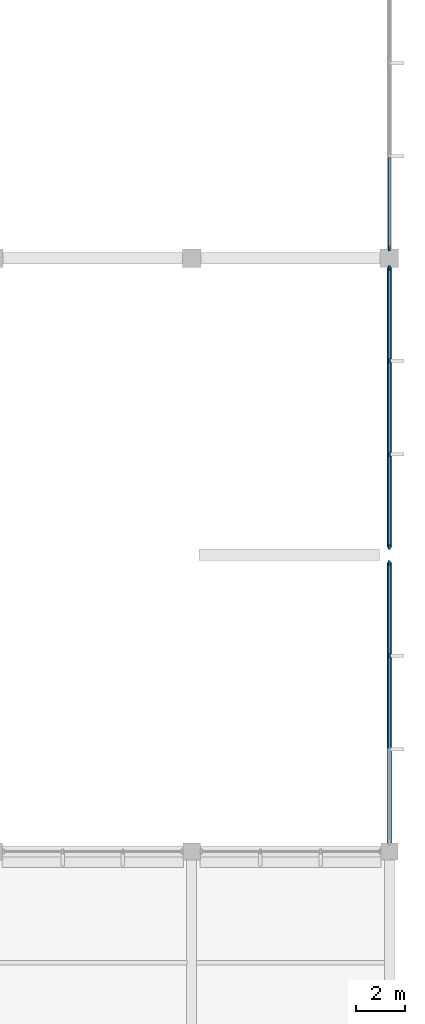
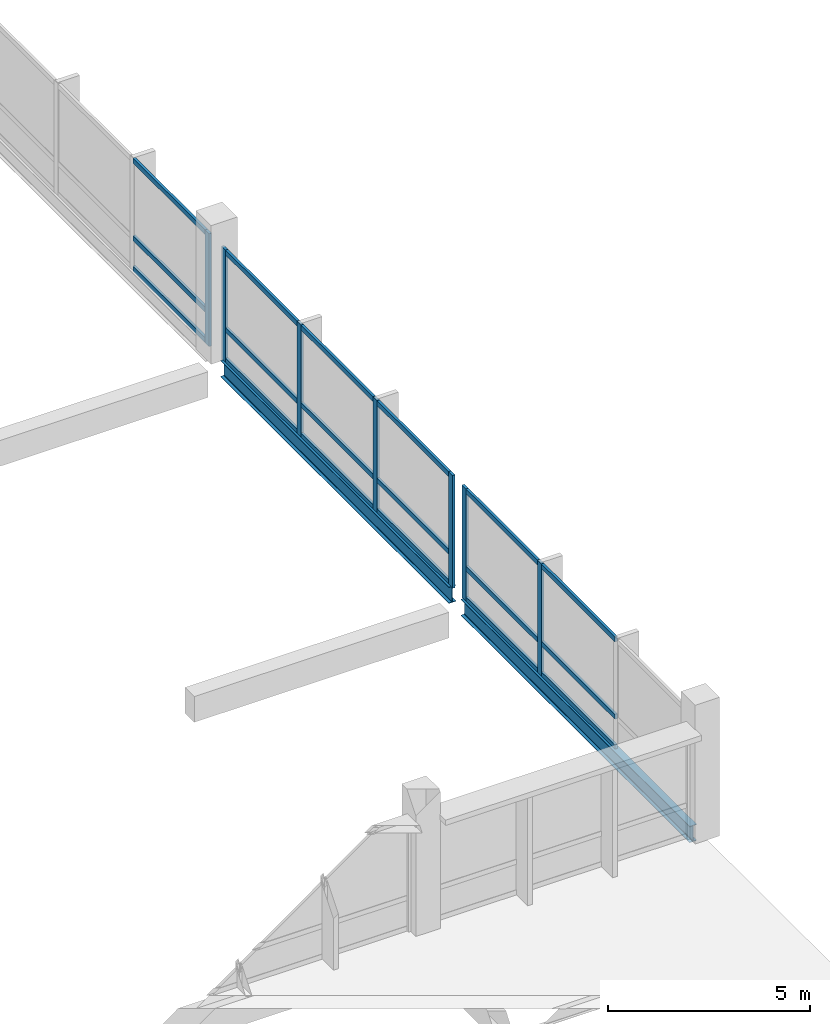
# One storey, part 36 of 70: 25 members, 2 beams, 3 elements without a shape of their own.
"""IFC4 building model written with IfcOpenShell, lengths in metres."""

from ifc_helpers import new_model, si_unit, direction, frame, origin, origin_2d, place, context, subcontext, project, spatial, rectangle, i_section, extrude, material, material_profile, profile_set, type_object, element, aggregate, save


model = new_model("IFC4")

# Units and contexts
model_context = context("Model", 3, precision=1e-05, world=origin(), true_north=direction((0.0, 1.0)))
body_context = subcontext(model_context, "Body", "Model", "MODEL_VIEW")
ifc_project = project(units=[si_unit("LENGTHUNIT", "METRE"), si_unit("AREAUNIT", "SQUARE_METRE"), si_unit("VOLUMEUNIT", "CUBIC_METRE"), si_unit("PLANEANGLEUNIT", "RADIAN"), si_unit("MASSUNIT", "GRAM", prefix="KILO"), si_unit("THERMODYNAMICTEMPERATUREUNIT", "KELVIN"), si_unit("POWERUNIT", "WATT")], contexts=[model_context])

# Site, building, storey
site_placement = place(None, origin())
site = spatial("IfcSite", under=ifc_project, at=site_placement, CompositionType="ELEMENT")
building_placement = place(site_placement, origin())
building = spatial("IfcBuilding", under=site, at=building_placement, Name="Kronsvod Quay Wholesale Market", CompositionType="ELEMENT")
storey_placement = place(building_placement, frame((0.0, 0.0, 9.0)))
storey = spatial("IfcBuildingStorey", under=building, at=storey_placement, Name="L02", CompositionType="ELEMENT", Elevation=9.0)

# Beams
ifc_material_1 = material(Name="Steel S355", Category="steel")
ifc_material_profile_1 = material_profile(ifc_material_1, i_section(OverallWidth=0.198974609375, OverallDepth=0.49609375, WebThickness=0.009033203125, FlangeThickness=0.013916015625, FilletRadius=0.02001953125, at=origin_2d()), Name="50B1")
ifc_profile_set_1 = profile_set([ifc_material_profile_1], Name="Steel S355")
beam_type = type_object("IfcBeamType", Name="Girder_Steel50B1", PredefinedType="T_BEAM", material=ifc_profile_set_1)
beam_1_placement = place(storey_placement, frame((192.0, 54.35009765625, -0.22802734375), z_axis=(0.0, 1.0, 0.0), x_axis=(-1.0, 0.0, 0.0)))
element("IfcBeam", 1, at=beam_1_placement, inside=storey, type_object=beam_type, Name="BMY-L02-1920-540", PredefinedType="T_BEAM", context=body_context, shape_type="SweptSolid", body=[
    extrude(i_section(OverallWidth=0.198974609375, OverallDepth=0.49609375, WebThickness=0.009033203125, FlangeThickness=0.013916015625, FilletRadius=0.02001953125, at=origin_2d()), origin(), (0.0, 0.0, 1.0), 11.349853515625),
])
beam_2_placement = place(storey_placement, frame((192.0, 66.300048828125, -0.22802734375), z_axis=(0.0, 1.0, 0.0), x_axis=(-1.0, 0.0, 0.0)))
element("IfcBeam", 2, at=beam_2_placement, inside=storey, type_object=beam_type, Name="BMY-L02-1920-660", PredefinedType="T_BEAM", context=body_context, shape_type="SweptSolid", body=[
    extrude(i_section(OverallWidth=0.198974609375, OverallDepth=0.49609375, WebThickness=0.009033203125, FlangeThickness=0.013916015625, FilletRadius=0.02001953125, at=origin_2d()), origin(), (0.0, 0.0, 1.0), 11.324951171875),
])

# Curtain wall, members
ifc_material_2 = material(Name="Thermally broken aluminium and triple low-E glazing", Category="aluminium")
curtain_wall_type = type_object("IfcCurtainWallType", Name="CW_Flower120x32", PredefinedType="NOTDEFINED", material=ifc_material_2)
curtain_wall_1_placement = place(storey_placement, origin())
curtain_wall_1 = element("IfcCurtainWall", 3, at=curtain_wall_1_placement, inside=storey, type_object=curtain_wall_type, Name="CWGY-L02-1920-540", PredefinedType="NOTDEFINED")
ifc_material_3 = material(Name="Anodised aluminium", Category="aluminium")
ifc_material_profile_2 = material_profile(ifc_material_3, rectangle(XDim=0.074951171875, YDim=0.199951171875, at=origin_2d()), Name="ALUM75x200")
ifc_profile_set_2 = profile_set([ifc_material_profile_2], Name="Anodised aluminium")
member_type_1 = type_object("IfcMemberType", Name="Mullion_ALU75x200", PredefinedType="MULLION", material=ifc_profile_set_2)
member_1_placement = place(storey_placement, frame((192.0, 61.918212890625, 0.0), z_axis=(0.0, 0.0, 1.0), x_axis=(1.0, 0.0, 0.0)))
member_1 = element("IfcMember", 4, at=member_1_placement, type_object=member_type_1, Name="CWGY-L02-1920-540-M3", PredefinedType="MULLION", context=body_context, shape_type="SweptSolid", body=[
    extrude(rectangle(XDim=0.074951171875, YDim=0.199951171875, at=origin_2d()), origin(), (0.0, 0.0, 1.0), 3.419921875),
])
member_2_placement = place(storey_placement, frame((192.0, 65.66748046875, 0.0), z_axis=(0.0, 0.0, 1.0), x_axis=(1.0, 0.0, 0.0)))
member_2 = element("IfcMember", 5, at=member_2_placement, type_object=member_type_1, Name="CWGY-L02-1920-540-M4", PredefinedType="MULLION", context=body_context, shape_type="SweptSolid", body=[
    extrude(rectangle(XDim=0.074951171875, YDim=0.199951171875, at=origin_2d()), origin(), (0.0, 0.0, 1.0), 3.419921875),
])

curtain_wall_2_placement = place(storey_placement, origin())
curtain_wall_2 = element("IfcCurtainWall", 6, at=curtain_wall_2_placement, inside=storey, type_object=curtain_wall_type, Name="CWGY-L02-1920-660", PredefinedType="NOTDEFINED")
member_3_placement = place(storey_placement, frame((192.0, 66.33251953125, 0.0), z_axis=(0.0, 0.0, 1.0), x_axis=(1.0, 0.0, 0.0)))
member_3 = element("IfcMember", 7, at=member_3_placement, type_object=member_type_1, Name="CWGY-L02-1920-660-M1", PredefinedType="MULLION", context=body_context, shape_type="SweptSolid", body=[
    extrude(rectangle(XDim=0.074951171875, YDim=0.199951171875, at=origin_2d()), origin(), (0.0, 0.0, 1.0), 3.419921875),
])
member_4_placement = place(storey_placement, frame((192.0, 70.0732421875, 0.0), z_axis=(0.0, 0.0, 1.0), x_axis=(1.0, 0.0, 0.0)))
member_4 = element("IfcMember", 8, at=member_4_placement, type_object=member_type_1, Name="CWGY-L02-1920-660-M2", PredefinedType="MULLION", context=body_context, shape_type="SweptSolid", body=[
    extrude(rectangle(XDim=0.074951171875, YDim=0.199951171875, at=origin_2d()), origin(), (0.0, 0.0, 1.0), 3.419921875),
])
member_5_placement = place(storey_placement, frame((192.0, 73.8515625, 0.0), z_axis=(0.0, 0.0, 1.0), x_axis=(1.0, 0.0, 0.0)))
member_5 = element("IfcMember", 9, at=member_5_placement, type_object=member_type_1, Name="CWGY-L02-1920-660-M3", PredefinedType="MULLION", context=body_context, shape_type="SweptSolid", body=[
    extrude(rectangle(XDim=0.074951171875, YDim=0.199951171875, at=origin_2d()), origin(), (0.0, 0.0, 1.0), 3.419921875),
])
member_6_placement = place(storey_placement, frame((192.0, 77.592529296875, 0.0), z_axis=(0.0, 0.0, 1.0), x_axis=(1.0, 0.0, 0.0)))
member_6 = element("IfcMember", 10, at=member_6_placement, type_object=member_type_1, Name="CWGY-L02-1920-660-M4", PredefinedType="MULLION", context=body_context, shape_type="SweptSolid", body=[
    extrude(rectangle(XDim=0.074951171875, YDim=0.199951171875, at=origin_2d()), origin(), (0.0, 0.0, 1.0), 3.419921875),
])

# Curtain wall, member
curtain_wall_3_placement = place(storey_placement, origin())
curtain_wall_3 = element("IfcCurtainWall", 11, at=curtain_wall_3_placement, inside=storey, type_object=curtain_wall_type, Name="CWGY-L02-1920-780", PredefinedType="NOTDEFINED")
member_7_placement = place(storey_placement, frame((192.0, 78.407470703125, 0.0), z_axis=(0.0, 0.0, 1.0), x_axis=(1.0, 0.0, 0.0)))
member_7 = element("IfcMember", 12, at=member_7_placement, type_object=member_type_1, Name="CWGY-L02-1920-780-M1", PredefinedType="MULLION", context=body_context, shape_type="SweptSolid", body=[
    extrude(rectangle(XDim=0.074951171875, YDim=0.199951171875, at=origin_2d()), origin(), (0.0, 0.0, 1.0), 3.419921875),
])

# Member
ifc_material_4 = material(Name="Anodised aluminium", Category="aluminium")
ifc_material_profile_3 = material_profile(ifc_material_4, rectangle(XDim=0.074951171875, YDim=0.14990234375, at=origin_2d()), Name="ALUT75x150")
ifc_profile_set_3 = profile_set([ifc_material_profile_3], Name="Anodised aluminium")
member_type_2 = type_object("IfcMemberType", Name="Transom_ALU75x150", PredefinedType="USERDEFINED", material=ifc_profile_set_3)
member_8_placement = place(storey_placement, frame((192.0, 58.169189453125, 0.074951171875), z_axis=(0.0, 1.0, 0.0), x_axis=(-1.0, 0.0, 0.0)))
member_8 = element("IfcMember", 13, at=member_8_placement, type_object=member_type_2, Name="CWGY-L02-1920-540-T1B2", ObjectType="TRANSOM", PredefinedType="USERDEFINED", context=body_context, shape_type="SweptSolid", body=[
    extrude(rectangle(XDim=0.074951171875, YDim=0.14990234375, at=origin_2d()), origin(), (0.0, 0.0, 1.0), 3.711669921875),
])

member_9_placement = place(storey_placement, frame((192.0, 61.955810546875, 0.074951171875), z_axis=(0.0, 1.0, 0.0), x_axis=(-1.0, 0.0, 0.0)))
member_9 = element("IfcMember", 14, at=member_9_placement, type_object=member_type_2, Name="CWGY-L02-1920-540-T1B3", ObjectType="TRANSOM", PredefinedType="USERDEFINED", context=body_context, shape_type="SweptSolid", body=[
    extrude(rectangle(XDim=0.074951171875, YDim=0.14990234375, at=origin_2d()), origin(), (0.0, 0.0, 1.0), 3.674072265625),
])

member_10_placement = place(storey_placement, frame((192.0, 58.169189453125, 1.0), z_axis=(0.0, 1.0, 0.0), x_axis=(-1.0, 0.0, 0.0)))
member_10 = element("IfcMember", 15, at=member_10_placement, type_object=member_type_2, Name="CWGY-L02-1920-540-T2B2", ObjectType="TRANSOM", PredefinedType="USERDEFINED", context=body_context, shape_type="SweptSolid", body=[
    extrude(rectangle(XDim=0.074951171875, YDim=0.14990234375, at=origin_2d()), origin(), (0.0, 0.0, 1.0), 3.711669921875),
])

member_11_placement = place(storey_placement, frame((192.0, 61.955810546875, 1.0), z_axis=(0.0, 1.0, 0.0), x_axis=(-1.0, 0.0, 0.0)))
member_11 = element("IfcMember", 16, at=member_11_placement, type_object=member_type_2, Name="CWGY-L02-1920-540-T2B3", ObjectType="TRANSOM", PredefinedType="USERDEFINED", context=body_context, shape_type="SweptSolid", body=[
    extrude(rectangle(XDim=0.074951171875, YDim=0.14990234375, at=origin_2d()), origin(), (0.0, 0.0, 1.0), 3.674072265625),
])

member_12_placement = place(storey_placement, frame((192.0, 58.169189453125, 3.344970703125), z_axis=(0.0, 1.0, 0.0), x_axis=(-1.0, 0.0, 0.0)))
member_12 = element("IfcMember", 17, at=member_12_placement, type_object=member_type_2, Name="CWGY-L02-1920-540-T3B2", ObjectType="TRANSOM", PredefinedType="USERDEFINED", context=body_context, shape_type="SweptSolid", body=[
    extrude(rectangle(XDim=0.074951171875, YDim=0.14990234375, at=origin_2d()), origin(), (0.0, 0.0, 1.0), 3.711669921875),
])

member_13_placement = place(storey_placement, frame((192.0, 61.955810546875, 3.344970703125), z_axis=(0.0, 1.0, 0.0), x_axis=(-1.0, 0.0, 0.0)))
member_13 = element("IfcMember", 18, at=member_13_placement, type_object=member_type_2, Name="CWGY-L02-1920-540-T3B3", ObjectType="TRANSOM", PredefinedType="USERDEFINED", context=body_context, shape_type="SweptSolid", body=[
    extrude(rectangle(XDim=0.074951171875, YDim=0.14990234375, at=origin_2d()), origin(), (0.0, 0.0, 1.0), 3.674072265625),
])

aggregate(curtain_wall_1, [member_1, member_2, member_8, member_9, member_10, member_11, member_12, member_13])

member_14_placement = place(storey_placement, frame((192.0, 66.3701171875, 0.074951171875), z_axis=(0.0, 1.0, 0.0), x_axis=(-1.0, 0.0, 0.0)))
member_14 = element("IfcMember", 19, at=member_14_placement, type_object=member_type_2, Name="CWGY-L02-1920-660-T1B1", ObjectType="TRANSOM", PredefinedType="USERDEFINED", context=body_context, shape_type="SweptSolid", body=[
    extrude(rectangle(XDim=0.074951171875, YDim=0.14990234375, at=origin_2d()), origin(), (0.0, 0.0, 1.0), 3.665771484375),
])

member_15_placement = place(storey_placement, frame((192.0, 70.11083984375, 0.074951171875), z_axis=(0.0, 1.0, 0.0), x_axis=(-1.0, 0.0, 0.0)))
member_15 = element("IfcMember", 20, at=member_15_placement, type_object=member_type_2, Name="CWGY-L02-1920-660-T1B2", ObjectType="TRANSOM", PredefinedType="USERDEFINED", context=body_context, shape_type="SweptSolid", body=[
    extrude(rectangle(XDim=0.074951171875, YDim=0.14990234375, at=origin_2d()), origin(), (0.0, 0.0, 1.0), 3.703369140625),
])

member_16_placement = place(storey_placement, frame((192.0, 73.88916015625, 0.074951171875), z_axis=(0.0, 1.0, 0.0), x_axis=(-1.0, 0.0, 0.0)))
member_16 = element("IfcMember", 21, at=member_16_placement, type_object=member_type_2, Name="CWGY-L02-1920-660-T1B3", ObjectType="TRANSOM", PredefinedType="USERDEFINED", context=body_context, shape_type="SweptSolid", body=[
    extrude(rectangle(XDim=0.074951171875, YDim=0.14990234375, at=origin_2d()), origin(), (0.0, 0.0, 1.0), 3.665771484375),
])

member_17_placement = place(storey_placement, frame((192.0, 66.3701171875, 1.0), z_axis=(0.0, 1.0, 0.0), x_axis=(-1.0, 0.0, 0.0)))
member_17 = element("IfcMember", 22, at=member_17_placement, type_object=member_type_2, Name="CWGY-L02-1920-660-T2B1", ObjectType="TRANSOM", PredefinedType="USERDEFINED", context=body_context, shape_type="SweptSolid", body=[
    extrude(rectangle(XDim=0.074951171875, YDim=0.14990234375, at=origin_2d()), origin(), (0.0, 0.0, 1.0), 3.665771484375),
])

member_18_placement = place(storey_placement, frame((192.0, 70.11083984375, 1.0), z_axis=(0.0, 1.0, 0.0), x_axis=(-1.0, 0.0, 0.0)))
member_18 = element("IfcMember", 23, at=member_18_placement, type_object=member_type_2, Name="CWGY-L02-1920-660-T2B2", ObjectType="TRANSOM", PredefinedType="USERDEFINED", context=body_context, shape_type="SweptSolid", body=[
    extrude(rectangle(XDim=0.074951171875, YDim=0.14990234375, at=origin_2d()), origin(), (0.0, 0.0, 1.0), 3.703369140625),
])

member_19_placement = place(storey_placement, frame((192.0, 73.88916015625, 1.0), z_axis=(0.0, 1.0, 0.0), x_axis=(-1.0, 0.0, 0.0)))
member_19 = element("IfcMember", 24, at=member_19_placement, type_object=member_type_2, Name="CWGY-L02-1920-660-T2B3", ObjectType="TRANSOM", PredefinedType="USERDEFINED", context=body_context, shape_type="SweptSolid", body=[
    extrude(rectangle(XDim=0.074951171875, YDim=0.14990234375, at=origin_2d()), origin(), (0.0, 0.0, 1.0), 3.665771484375),
])

member_20_placement = place(storey_placement, frame((192.0, 66.3701171875, 3.344970703125), z_axis=(0.0, 1.0, 0.0), x_axis=(-1.0, 0.0, 0.0)))
member_20 = element("IfcMember", 25, at=member_20_placement, type_object=member_type_2, Name="CWGY-L02-1920-660-T3B1", ObjectType="TRANSOM", PredefinedType="USERDEFINED", context=body_context, shape_type="SweptSolid", body=[
    extrude(rectangle(XDim=0.074951171875, YDim=0.14990234375, at=origin_2d()), origin(), (0.0, 0.0, 1.0), 3.665771484375),
])

member_21_placement = place(storey_placement, frame((192.0, 70.11083984375, 3.344970703125), z_axis=(0.0, 1.0, 0.0), x_axis=(-1.0, 0.0, 0.0)))
member_21 = element("IfcMember", 26, at=member_21_placement, type_object=member_type_2, Name="CWGY-L02-1920-660-T3B2", ObjectType="TRANSOM", PredefinedType="USERDEFINED", context=body_context, shape_type="SweptSolid", body=[
    extrude(rectangle(XDim=0.074951171875, YDim=0.14990234375, at=origin_2d()), origin(), (0.0, 0.0, 1.0), 3.703369140625),
])

member_22_placement = place(storey_placement, frame((192.0, 73.88916015625, 3.344970703125), z_axis=(0.0, 1.0, 0.0), x_axis=(-1.0, 0.0, 0.0)))
member_22 = element("IfcMember", 27, at=member_22_placement, type_object=member_type_2, Name="CWGY-L02-1920-660-T3B3", ObjectType="TRANSOM", PredefinedType="USERDEFINED", context=body_context, shape_type="SweptSolid", body=[
    extrude(rectangle(XDim=0.074951171875, YDim=0.14990234375, at=origin_2d()), origin(), (0.0, 0.0, 1.0), 3.665771484375),
])

aggregate(curtain_wall_2, [member_3, member_4, member_5, member_6, member_14, member_15, member_16, member_17, member_18, member_19, member_20, member_21, member_22])

member_23_placement = place(storey_placement, frame((192.0, 78.445068359375, 0.074951171875), z_axis=(0.0, 1.0, 0.0), x_axis=(-1.0, 0.0, 0.0)))
member_23 = element("IfcMember", 28, at=member_23_placement, type_object=member_type_2, Name="CWGY-L02-1920-780-T1B1", ObjectType="TRANSOM", PredefinedType="USERDEFINED", context=body_context, shape_type="SweptSolid", body=[
    extrude(rectangle(XDim=0.074951171875, YDim=0.14990234375, at=origin_2d()), origin(), (0.0, 0.0, 1.0), 3.649169921875),
])

member_24_placement = place(storey_placement, frame((192.0, 78.445068359375, 1.0), z_axis=(0.0, 1.0, 0.0), x_axis=(-1.0, 0.0, 0.0)))
member_24 = element("IfcMember", 29, at=member_24_placement, type_object=member_type_2, Name="CWGY-L02-1920-780-T2B1", ObjectType="TRANSOM", PredefinedType="USERDEFINED", context=body_context, shape_type="SweptSolid", body=[
    extrude(rectangle(XDim=0.074951171875, YDim=0.14990234375, at=origin_2d()), origin(), (0.0, 0.0, 1.0), 3.649169921875),
])

member_25_placement = place(storey_placement, frame((192.0, 78.445068359375, 3.344970703125), z_axis=(0.0, 1.0, 0.0), x_axis=(-1.0, 0.0, 0.0)))
member_25 = element("IfcMember", 30, at=member_25_placement, type_object=member_type_2, Name="CWGY-L02-1920-780-T3B1", ObjectType="TRANSOM", PredefinedType="USERDEFINED", context=body_context, shape_type="SweptSolid", body=[
    extrude(rectangle(XDim=0.074951171875, YDim=0.14990234375, at=origin_2d()), origin(), (0.0, 0.0, 1.0), 3.649169921875),
])

aggregate(curtain_wall_3, [member_7, member_23, member_24, member_25])

save(model, "model.ifc")
